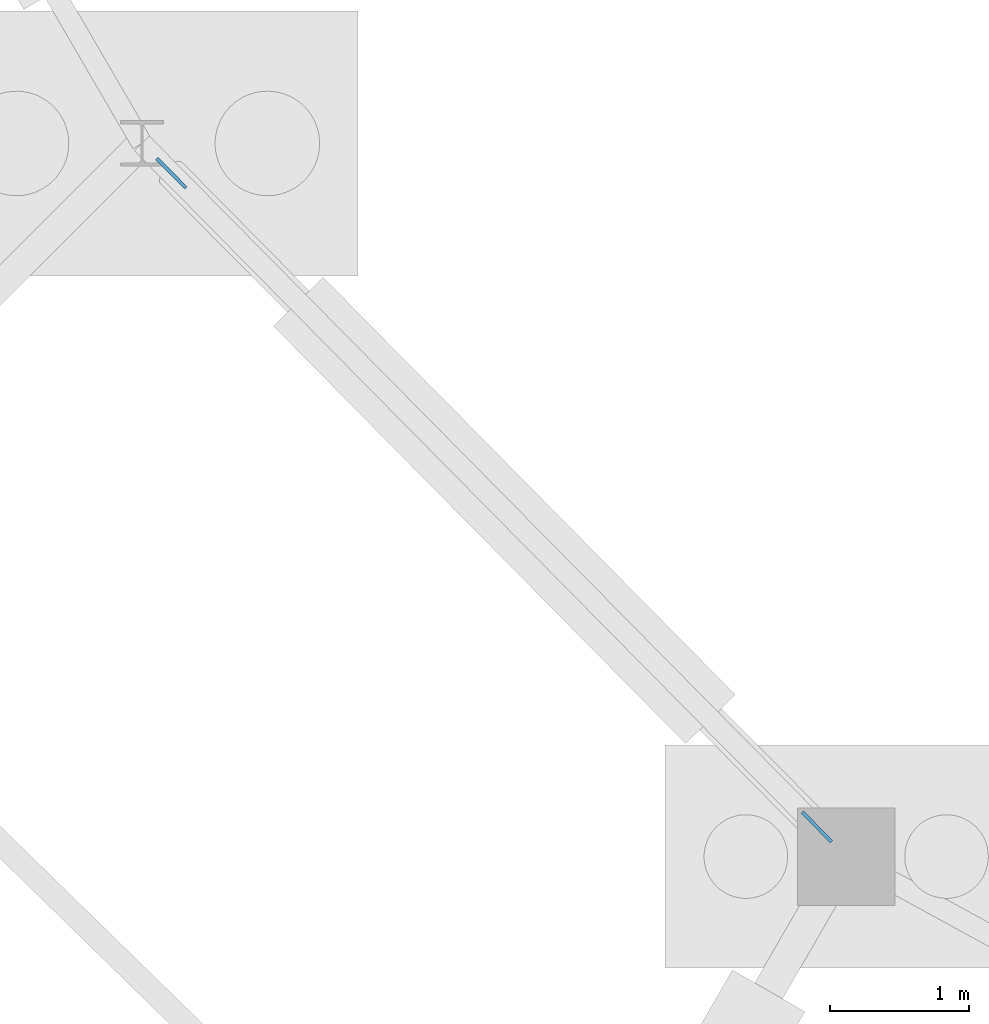
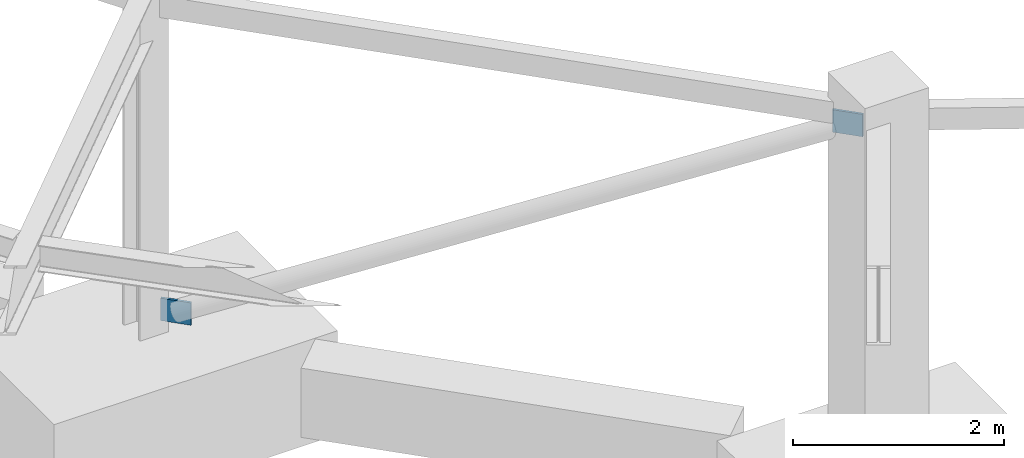
# One storey, part 32 of 58: 2 plates.
"""IFC4 building model written with IfcOpenShell, lengths in metres."""

from ifc_helpers import new_model, si_unit, direction, frame, origin, origin_2d, place, context, subcontext, project, spatial, rectangle, extrude, material, layer, layer_set, type_object, element, save


model = new_model("IFC4")

# Units and contexts
model_context = context("Model", 3, precision=1e-05, world=origin(), true_north=direction((0.0, 1.0)))
body_context = subcontext(model_context, "Body", "Model", "MODEL_VIEW")
ifc_project = project(units=[si_unit("LENGTHUNIT", "METRE"), si_unit("AREAUNIT", "SQUARE_METRE"), si_unit("VOLUMEUNIT", "CUBIC_METRE"), si_unit("PLANEANGLEUNIT", "RADIAN"), si_unit("MASSUNIT", "GRAM", prefix="KILO")], contexts=[model_context])

# Site, building, storey
site_placement = place(None, origin())
site = spatial("IfcSite", under=ifc_project, at=site_placement, CompositionType="ELEMENT")
building_placement = place(site_placement, origin())
building = spatial("IfcBuilding", under=site, at=building_placement, Name="Karori Crest Natural Sciences Institute", CompositionType="ELEMENT")
storey_placement = place(building_placement, frame((0.0, 0.0, -4.199951171875)))
storey = spatial("IfcBuildingStorey", under=building, at=storey_placement, Name="B1", CompositionType="ELEMENT", Elevation=-4.199951171875)

# Plates
ifc_material = material(Name="Structural steel AS/NZS 3679.1 Grade 350", Category="steel")
ifc_layer = layer(ifc_material, 0.02490234375, Name="Structural steel AS/NZS 3679.1 Grade 350")
ifc_layer_set = layer_set([ifc_layer], Name="Structural steel AS/NZS 3679.1 Grade 350")
plate_type = type_object("IfcPlateType", Name="PLT-06", PredefinedType="SHEET", material=ifc_layer_set)
for number, where, z_axis, x_axis, name in (
    (1, (49.357421875, 26.917724609375, 0.12060546875), (0.0, 0.0, 1.0), (-0.702663630174, 0.711522187167, 0.0), "Brace gusset plate EP-0005"),
    (2, (53.9892578125, 22.2275390625, 3.5205078125), (0.0, 0.0, 1.0), (-0.702663630174, 0.711522187167, 0.0), "Brace gusset plate EP-0006"),
):
    element("IfcPlate", number, at=place(storey_placement, frame(where, z_axis=z_axis, x_axis=x_axis)), inside=storey, type_object=plate_type, Name=name, PredefinedType="SHEET", context=body_context, shape_type="SweptSolid", body=[
        extrude(rectangle(XDim=0.299072265625, YDim=0.02490234375, at=origin_2d()), origin(), (0.0, 0.0, 1.0), 0.259033203125),
    ])

save(model, "model.ifc")
